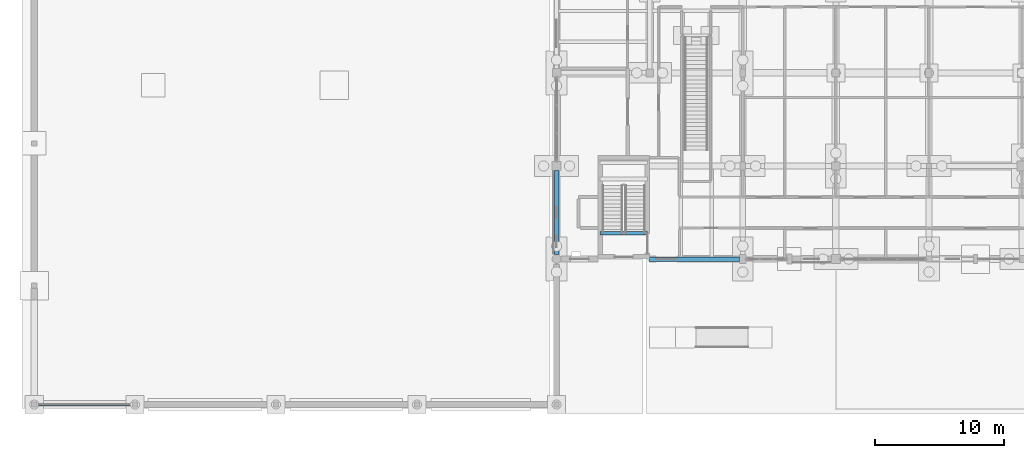
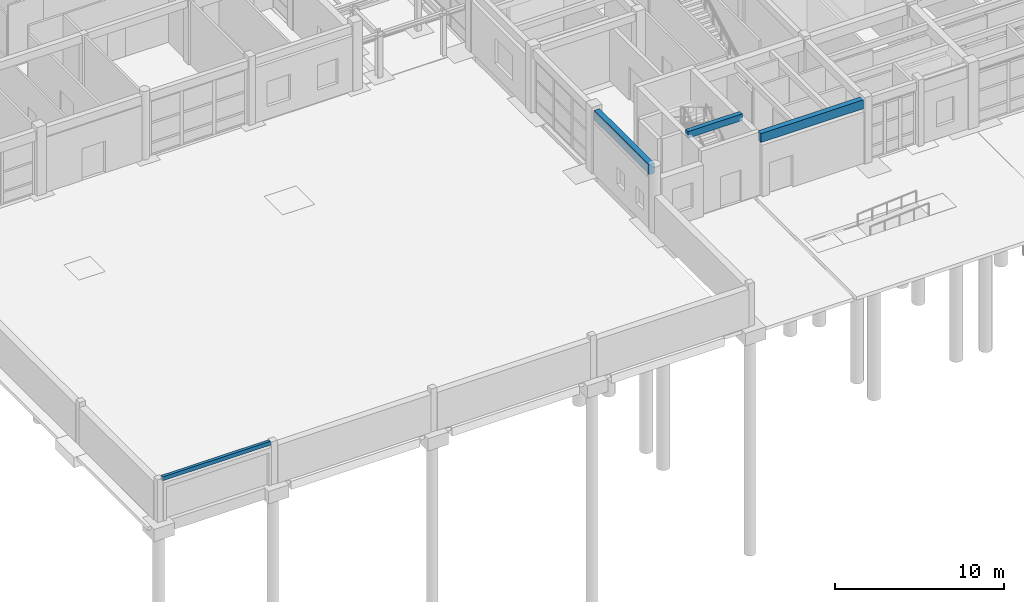
# One storey, part 32 of 143: 4 beams.
"""IFC4 building model written with IfcOpenShell, lengths in metres."""

from ifc_helpers import new_model, si_unit, direction, frame, origin, origin_2d, place, context, subcontext, project, spatial, rectangle, extrude, material, material_profile, profile_set, type_object, element, save


model = new_model("IFC4")

# Units and contexts
model_context = context("Model", 3, precision=1e-05, world=origin(), true_north=direction((0.0, 1.0)))
body_context = subcontext(model_context, "Body", "Model", "MODEL_VIEW")
ifc_project = project(units=[si_unit("LENGTHUNIT", "METRE"), si_unit("AREAUNIT", "SQUARE_METRE"), si_unit("VOLUMEUNIT", "CUBIC_METRE"), si_unit("PLANEANGLEUNIT", "RADIAN"), si_unit("MASSUNIT", "GRAM", prefix="KILO")], contexts=[model_context])

# Site, building, storey
site_placement = place(None, origin())
site = spatial("IfcSite", under=ifc_project, at=site_placement, CompositionType="ELEMENT")
building_placement = place(site_placement, origin())
building = spatial("IfcBuilding", under=site, at=building_placement, Name="Steenspoor Specialist Clinic", CompositionType="ELEMENT")
storey_placement = place(building_placement, origin())
storey = spatial("IfcBuildingStorey", under=building, at=storey_placement, Name="L00", CompositionType="ELEMENT", Elevation=0.0)

# Beams
ifc_material = material(Name="Concrete C35/45", Category="concrete")
ifc_material_profile_1 = material_profile(ifc_material, rectangle(XDim=0.300048828125, YDim=0.47998046875, at=origin_2d()), Name="RC-BM-300X480")
ifc_profile_set_1 = profile_set([ifc_material_profile_1], Name="Concrete C35/45")
beam_type_1 = type_object("IfcBeamType", Name="BM-RC-300X480", PredefinedType="BEAM", material=ifc_profile_set_1)
beam_1_placement = place(storey_placement, frame((48.550048828125, 15.050048828125, 4.56005859375), z_axis=(1.0, 0.0, 0.0), x_axis=(0.0, 1.0, 0.0)))
element("IfcBeam", 1, at=beam_1_placement, inside=storey, type_object=beam_type_1, Name="Stair Well Trimmer Beam ST-V1A L00", PredefinedType="BEAM", context=body_context, shape_type="SweptSolid", body=[
    extrude(rectangle(XDim=0.300048828125, YDim=0.47998046875, at=origin_2d()), origin(), (0.0, 0.0, 1.0), 3.699951171875),
])
ifc_material_profile_2 = material_profile(ifc_material, rectangle(XDim=0.199951171875, YDim=0.280029296875, at=origin_2d()), Name="RC-LN-200X280")
ifc_profile_set_2 = profile_set([ifc_material_profile_2], Name="Concrete C35/45")
beam_type_2 = type_object("IfcBeamType", Name="LN-RC-200X280", PredefinedType="LINTEL", material=ifc_profile_set_2)
beam_2_placement = place(storey_placement, frame((4.9951171875, 1.800048828125, 2.9599609375), z_axis=(1.0, 0.0, 0.0), x_axis=(0.0, 1.0, 0.0)))
element("IfcBeam", 2, at=beam_2_placement, inside=storey, type_object=beam_type_2, Name="Portal Opening Lintel GT01", PredefinedType="LINTEL", context=body_context, shape_type="SweptSolid", body=[
    extrude(rectangle(XDim=0.199951171875, YDim=0.280029296875, at=origin_2d()), origin(), (0.0, 0.0, 1.0), 7.409912109375),
])
ifc_material_profile_3 = material_profile(ifc_material, rectangle(XDim=0.360107421875, YDim=0.639892578125, at=origin_2d()), Name="RC-SP-360X640")
ifc_profile_set_3 = profile_set([ifc_material_profile_3], Name="Concrete C35/45")
beam_type_3 = type_object("IfcBeamType", Name="SP-RC-360X640", PredefinedType="SPANDREL", material=ifc_profile_set_3)
beam_3_placement = place(storey_placement, frame((52.35498046875, 13.050048828125, 4.22998046875), z_axis=(1.0, 0.0, 0.0), x_axis=(0.0, 1.0, 0.0)))
element("IfcBeam", 3, at=beam_3_placement, inside=storey, type_object=beam_type_3, Name="BM-V1-L00-X0001", PredefinedType="SPANDREL", context=body_context, shape_type="SweptSolid", body=[
    extrude(rectangle(XDim=0.360107421875, YDim=0.639892578125, at=origin_2d()), origin(), (0.0, 0.0, 1.0), 7.0),
])
ifc_material_profile_4 = material_profile(ifc_material, rectangle(XDim=0.360107421875, YDim=0.719970703125, at=origin_2d()), Name="RC-SP-360X720")
ifc_profile_set_4 = profile_set([ifc_material_profile_4], Name="Concrete C35/45")
beam_type_4 = type_object("IfcBeamType", Name="SP-RC-360X720", PredefinedType="SPANDREL", material=ifc_profile_set_4)
beam_4_placement = place(storey_placement, frame((45.199951171875, 13.39501953125, 4.18994140625), z_axis=(0.0, 1.0, 0.0), x_axis=(-1.0, 0.0, 0.0)))
element("IfcBeam", 4, at=beam_4_placement, inside=storey, type_object=beam_type_4, Name="BM-V1-L00-Y0040", PredefinedType="SPANDREL", context=body_context, shape_type="SweptSolid", body=[
    extrude(rectangle(XDim=0.360107421875, YDim=0.719970703125, at=origin_2d()), origin(), (0.0, 0.0, 1.0), 6.510009765625),
])

save(model, "model.ifc")
